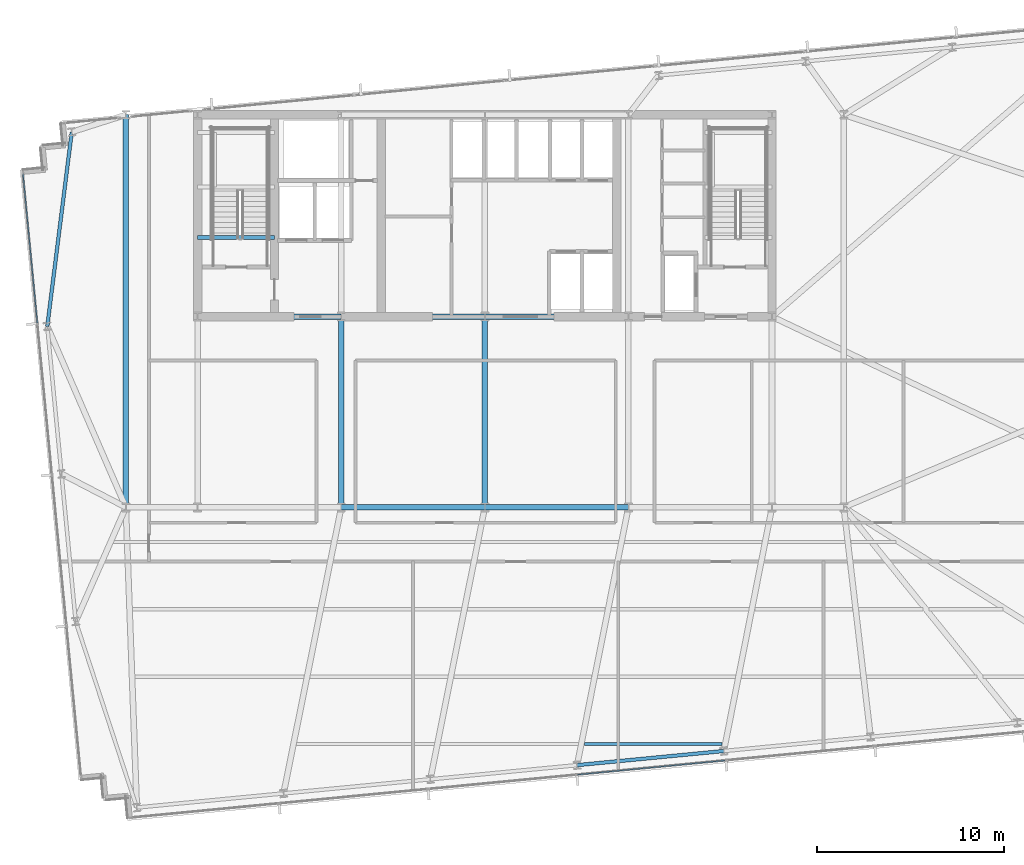
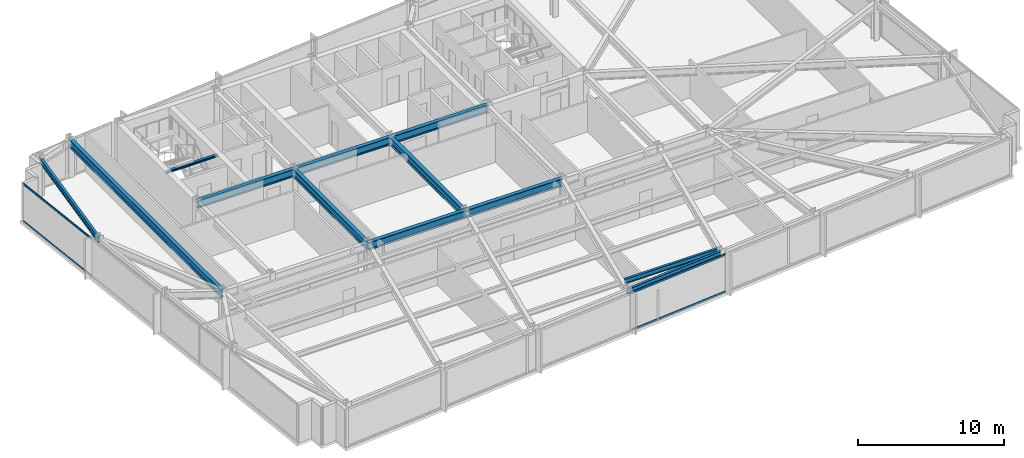
# One storey, part 9 of 32: 12 beams, 4 members, 2 elements without a shape of their own.
"""IFC4 building model written with IfcOpenShell, lengths in metres."""

from ifc_helpers import new_model, si_unit, direction, frame, origin, origin_2d, place, context, subcontext, project, spatial, hollow_rectangle, i_section, extrude, material, material_profile, profile_set, type_object, element, aggregate, save


model = new_model("IFC4")

# Units and contexts
model_context = context("Model", 3, precision=1e-05, world=origin(), true_north=direction((0.0, 1.0)))
body_context = subcontext(model_context, "Body", "Model", "MODEL_VIEW")
ifc_project = project(units=[si_unit("LENGTHUNIT", "METRE"), si_unit("AREAUNIT", "SQUARE_METRE"), si_unit("VOLUMEUNIT", "CUBIC_METRE"), si_unit("PLANEANGLEUNIT", "RADIAN"), si_unit("MASSUNIT", "GRAM", prefix="KILO")], contexts=[model_context])

# Site, building, storey
site_placement = place(None, origin())
site = spatial("IfcSite", under=ifc_project, at=site_placement, CompositionType="ELEMENT")
building_placement = place(site_placement, origin())
building = spatial("IfcBuilding", under=site, at=building_placement, Name="Yelkora Congress Tower", CompositionType="ELEMENT")
storey_placement = place(building_placement, frame((0.0, 0.0, 99.89990234375)))
storey = spatial("IfcBuildingStorey", under=building, at=storey_placement, Name="L26", CompositionType="ELEMENT", Elevation=99.89990234375)

# Beams
ifc_material_1 = material(Name="Steel S355J2", Category="steel")
ifc_material_profile_1 = material_profile(ifc_material_1, i_section(OverallWidth=0.300048828125, OverallDepth=0.64990234375, WebThickness=0.01611328125, FlangeThickness=0.031005859375, FilletRadius=0.027099609375, at=origin_2d()), Name="HEB 650")
ifc_profile_set_1 = profile_set([ifc_material_profile_1], Name="Steel S355J2")
beam_type_1 = type_object("IfcBeamType", Name="BM-GIRD-HEB650", PredefinedType="BEAM", material=ifc_profile_set_1)
beam_1_placement = place(storey_placement, frame((30.719970703125, 25.199951171875, 2.85498046875), z_axis=(1.0, 0.0, 0.0), x_axis=(0.0, 1.0, 0.0)))
element("IfcBeam", 1, at=beam_1_placement, inside=storey, type_object=beam_type_1, Name="L26 Spine Grid D Girder 3", PredefinedType="BEAM", context=body_context, shape_type="SweptSolid", body=[
    extrude(i_section(OverallWidth=0.300048828125, OverallDepth=0.64990234375, WebThickness=0.01611328125, FlangeThickness=0.031005859375, FilletRadius=0.027099609375, at=origin_2d()), origin(), (0.0, 0.0, 1.0), 7.679931640625),
])
beam_2_placement = place(storey_placement, frame((38.39990234375, 25.199951171875, 2.85498046875), z_axis=(1.0, 0.0, 0.0), x_axis=(0.0, 1.0, 0.0)))
element("IfcBeam", 2, at=beam_2_placement, inside=storey, type_object=beam_type_1, Name="L26 Spine Grid D Girder 4", PredefinedType="BEAM", context=body_context, shape_type="SweptSolid", body=[
    extrude(i_section(OverallWidth=0.300048828125, OverallDepth=0.64990234375, WebThickness=0.01611328125, FlangeThickness=0.031005859375, FilletRadius=0.027099609375, at=origin_2d()), origin(), (0.0, 0.0, 1.0), 7.68017578125),
])
for number, where, z_axis, x_axis, name in (
    (3, (23.0400390625, 35.39990234375, 2.85498046875), (1.0, 0.0, 0.0), (0.0, 1.0, 0.0), "L26 Core South Girder 1"),
    (4, (30.719970703125, 35.39990234375, 2.85498046875), (1.0, 0.0, 0.0), (0.0, 1.0, 0.0), "L26 Core South Girder 2"),
):
    element("IfcBeam", number, at=place(storey_placement, frame(where, z_axis=z_axis, x_axis=x_axis)), inside=storey, type_object=beam_type_1, Name=name, PredefinedType="BEAM", context=body_context, shape_type="SweptSolid", body=[
        extrude(i_section(OverallWidth=0.300048828125, OverallDepth=0.64990234375, WebThickness=0.01611328125, FlangeThickness=0.031005859375, FilletRadius=0.027099609375, at=origin_2d()), origin(), (0.0, 0.0, 1.0), 7.679931640625),
    ])
beam_3_placement = place(storey_placement, frame((38.39990234375, 35.39990234375, 2.85498046875), z_axis=(1.0, 0.0, 0.0), x_axis=(0.0, 1.0, 0.0)))
element("IfcBeam", 5, at=beam_3_placement, inside=storey, type_object=beam_type_1, Name="L26 Core South Girder 3", PredefinedType="BEAM", context=body_context, shape_type="SweptSolid", body=[
    extrude(i_section(OverallWidth=0.300048828125, OverallDepth=0.64990234375, WebThickness=0.01611328125, FlangeThickness=0.031005859375, FilletRadius=0.027099609375, at=origin_2d()), origin(), (0.0, 0.0, 1.0), 7.68017578125),
])
for number, where, z_axis, x_axis, name in (
    (6, (30.719970703125, 25.199951171875, 2.85498046875), (0.0, 1.0, 0.0), (-1.0, 0.0, 0.0), "L26 Core Tie Girder MC-D2"),
    (7, (38.39990234375, 25.199951171875, 2.85498046875), (0.0, 1.0, 0.0), (-1.0, 0.0, 0.0), "L26 Core Tie Girder MC-D3"),
):
    element("IfcBeam", number, at=place(storey_placement, frame(where, z_axis=z_axis, x_axis=x_axis)), inside=storey, type_object=beam_type_1, Name=name, PredefinedType="BEAM", context=body_context, shape_type="SweptSolid", body=[
        extrude(i_section(OverallWidth=0.300048828125, OverallDepth=0.64990234375, WebThickness=0.01611328125, FlangeThickness=0.031005859375, FilletRadius=0.027099609375, at=origin_2d()), origin(), (0.0, 0.0, 1.0), 10.199951171875),
    ])
beam_4_placement = place(storey_placement, frame((19.199951171875, 25.199951171875, 2.85498046875), z_axis=(0.0, 1.0, 0.0), x_axis=(-1.0, 0.0, 0.0)))
element("IfcBeam", 8, at=beam_4_placement, inside=storey, type_object=beam_type_1, Name="L26 Neck Flank Girder MC-F1", PredefinedType="BEAM", context=body_context, shape_type="SweptSolid", body=[
    extrude(i_section(OverallWidth=0.300048828125, OverallDepth=0.64990234375, WebThickness=0.01611328125, FlangeThickness=0.031005859375, FilletRadius=0.027099609375, at=origin_2d()), origin(), (0.0, 0.0, 1.0), 21.0),
])
ifc_material_profile_2 = material_profile(ifc_material_1, i_section(OverallWidth=0.179931640625, OverallDepth=0.39990234375, WebThickness=0.008544921875, FlangeThickness=0.013427734375, FilletRadius=0.02099609375, at=origin_2d()), Name="IPE 400")
ifc_profile_set_2 = profile_set([ifc_material_profile_2], Name="Steel S355J2")
beam_type_2 = type_object("IfcBeamType", Name="BM-JOIST-IPE400", PredefinedType="JOIST", material=ifc_profile_set_2)
beam_5_placement = place(storey_placement, frame((43.7197265625, 12.54443359375, 2.97998046875), z_axis=(1.0, 0.0, 0.0), x_axis=(0.0, 1.0, 0.0)))
element("IfcBeam", 9, at=beam_5_placement, inside=storey, type_object=beam_type_2, Name="L26 Composite Floor Joist 3", PredefinedType="JOIST", context=body_context, shape_type="SweptSolid", body=[
    extrude(i_section(OverallWidth=0.179931640625, OverallDepth=0.39990234375, WebThickness=0.008544921875, FlangeThickness=0.013427734375, FilletRadius=0.02099609375, at=origin_2d()), origin(), (0.0, 0.0, 1.0), 7.37841796875),
])
ifc_material_profile_3 = material_profile(ifc_material_1, i_section(OverallWidth=0.199951171875, OverallDepth=0.18994140625, WebThickness=0.006591796875, FlangeThickness=0.010009765625, FilletRadius=0.01806640625, at=origin_2d()), Name="HEA 200")
ifc_profile_set_3 = profile_set([ifc_material_profile_3], Name="Steel S355J2")
beam_type_3 = type_object("IfcBeamType", Name="BM-LAND-HEA200", PredefinedType="BEAM", material=ifc_profile_set_3)
beam_6_placement = place(storey_placement, frame((23.0400390625, 39.639892578125, 2.947509765625), z_axis=(1.0, 0.0, 0.0), x_axis=(0.0, 1.0, 0.0)))
element("IfcBeam", 10, at=beam_6_placement, inside=storey, type_object=beam_type_3, Name="ST-01 L26 Floor Arrival Stringer Header Beam", PredefinedType="BEAM", context=body_context, shape_type="SweptSolid", body=[
    extrude(i_section(OverallWidth=0.199951171875, OverallDepth=0.18994140625, WebThickness=0.006591796875, FlangeThickness=0.010009765625, FilletRadius=0.01806640625, at=origin_2d()), origin(), (0.0, 0.0, 1.0), 4.10986328125),
])
ifc_material_profile_4 = material_profile(ifc_material_1, i_section(OverallWidth=0.18994140625, OverallDepth=0.449951171875, WebThickness=0.009521484375, FlangeThickness=0.0146484375, FilletRadius=0.02099609375, at=origin_2d()), Name="IPE 450")
ifc_profile_set_4 = profile_set([ifc_material_profile_4], Name="Steel S355J2")
beam_type_4 = type_object("IfcBeamType", Name="BM-SPAN-IPE450", PredefinedType="SPANDREL", material=ifc_profile_set_4)
beam_7_placement = place(storey_placement, frame((43.334228515625, 11.411865234375, 2.955078125), z_axis=(0.995398529126, 0.09582154358, 0.0), x_axis=(-0.09582154358, 0.995398529126, 0.0)))
element("IfcBeam", 11, at=beam_7_placement, inside=storey, type_object=beam_type_4, Name="L26 Perimeter Beam 6", PredefinedType="SPANDREL", context=body_context, shape_type="SweptSolid", body=[
    extrude(i_section(OverallWidth=0.18994140625, OverallDepth=0.449951171875, WebThickness=0.009521484375, FlangeThickness=0.0146484375, FilletRadius=0.02099609375, at=origin_2d()), origin(), (0.0, 0.0, 1.0), 7.8857421875),
])
beam_8_placement = place(storey_placement, frame((16.306884765625, 45.27734375, 2.955078125), z_axis=(-0.124952129665, -0.992162771571, 0.0), x_axis=(0.992162771571, -0.124952129665, 0.0)))
element("IfcBeam", 12, at=beam_8_placement, inside=storey, type_object=beam_type_4, Name="L26 Perimeter Beam 18", PredefinedType="SPANDREL", context=body_context, shape_type="SweptSolid", body=[
    extrude(i_section(OverallWidth=0.18994140625, OverallDepth=0.449951171875, WebThickness=0.009521484375, FlangeThickness=0.0146484375, FilletRadius=0.02099609375, at=origin_2d()), origin(), (0.0, 0.0, 1.0), 10.48046875),
])

# Curtain wall, members
ifc_material_2 = material(Name="Anodised aluminium and insulated glass", Category="aluminium")
curtain_wall_type = type_object("IfcCurtainWallType", Name="CW-SYS-B2", PredefinedType="NOTDEFINED", material=ifc_material_2)
curtain_wall_1_placement = place(storey_placement, origin())
curtain_wall_1 = element("IfcCurtainWall", 13, at=curtain_wall_1_placement, inside=storey, type_object=curtain_wall_type, Name="L26 Unitised Curtain Wall 5", PredefinedType="NOTDEFINED")
ifc_material_3 = material(Name="Anodised aluminium 6063-T6", Category="aluminium")
ifc_material_profile_5 = material_profile(ifc_material_3, hollow_rectangle(XDim=0.06494140625, YDim=0.159912109375, WallThickness=0.00390625, at=origin_2d()), Name="ALU 65x160x4")
ifc_profile_set_5 = profile_set([ifc_material_profile_5], Name="Anodised aluminium 6063-T6")
member_type = type_object("IfcMemberType", Name="MEM-TR-B2", PredefinedType="USERDEFINED", material=ifc_profile_set_5)
member_1_placement = place(storey_placement, frame((14.466796875, 35.06884765625, 0.03271484375), z_axis=(-0.095858482834, 0.995394972495, 0.0), x_axis=(-0.995394972495, -0.095858482834, 0.0)))
member_1 = element("IfcMember", 14, at=member_1_placement, type_object=member_type, Name="CW-B2 transom 4.1", ObjectType="TRANSOM", PredefinedType="USERDEFINED", context=body_context, shape_type="SweptSolid", body=[
    extrude(hollow_rectangle(XDim=0.06494140625, YDim=0.159912109375, WallThickness=0.00390625, at=origin_2d()), origin(), (0.0, 0.0, 1.0), 8.025146484375),
])
member_2_placement = place(storey_placement, frame((14.466796875, 35.06884765625, 3.147705078125), z_axis=(-0.095858482834, 0.995394972495, 0.0), x_axis=(-0.995394972495, -0.095858482834, 0.0)))
member_2 = element("IfcMember", 15, at=member_2_placement, type_object=member_type, Name="CW-B2 transom 4.2", ObjectType="TRANSOM", PredefinedType="USERDEFINED", context=body_context, shape_type="SweptSolid", body=[
    extrude(hollow_rectangle(XDim=0.06494140625, YDim=0.159912109375, WallThickness=0.00390625, at=origin_2d()), origin(), (0.0, 0.0, 1.0), 8.025146484375),
])
aggregate(curtain_wall_1, [member_1, member_2])

curtain_wall_2_placement = place(storey_placement, origin())
curtain_wall_2 = element("IfcCurtainWall", 16, at=curtain_wall_2_placement, inside=storey, type_object=curtain_wall_type, Name="L26 Unitised Curtain Wall 20", PredefinedType="NOTDEFINED")
member_3_placement = place(storey_placement, frame((51.255859375, 11.662353515625, 0.03271484375), z_axis=(-0.995394074338, -0.095867808848, 0.0), x_axis=(0.095867808848, -0.995394074338, 0.0)))
member_3 = element("IfcMember", 17, at=member_3_placement, type_object=member_type, Name="CW-B2 transom 4.1", ObjectType="TRANSOM", PredefinedType="USERDEFINED", context=body_context, shape_type="SweptSolid", body=[
    extrude(hollow_rectangle(XDim=0.06494140625, YDim=0.159912109375, WallThickness=0.00390625, at=origin_2d()), origin(), (0.0, 0.0, 1.0), 7.932861328125),
])
member_4_placement = place(storey_placement, frame((51.255859375, 11.662353515625, 3.147705078125), z_axis=(-0.995394074338, -0.095867808848, 0.0), x_axis=(0.095867808848, -0.995394074338, 0.0)))
member_4 = element("IfcMember", 18, at=member_4_placement, type_object=member_type, Name="CW-B2 transom 4.2", ObjectType="TRANSOM", PredefinedType="USERDEFINED", context=body_context, shape_type="SweptSolid", body=[
    extrude(hollow_rectangle(XDim=0.06494140625, YDim=0.159912109375, WallThickness=0.00390625, at=origin_2d()), origin(), (0.0, 0.0, 1.0), 7.932861328125),
])
aggregate(curtain_wall_2, [member_3, member_4])

save(model, "model.ifc")
